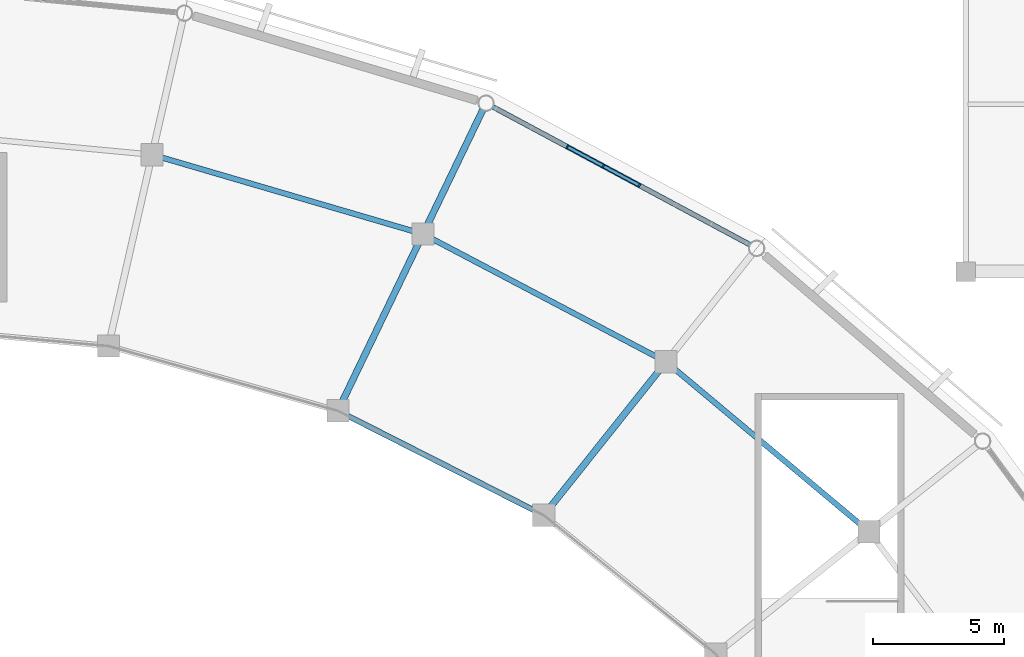
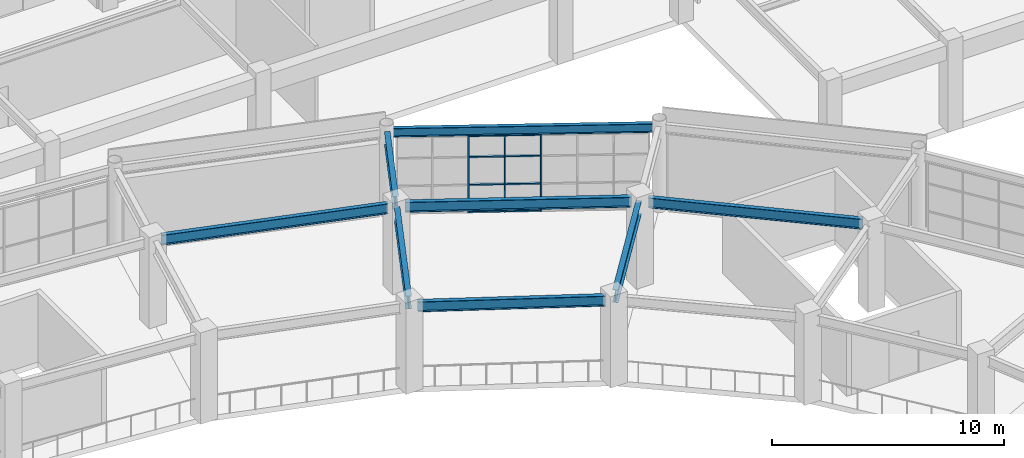
# One storey, part 48 of 112: 11 members, 8 beams, 1 element without a shape of its own.
"""IFC4 building model written with IfcOpenShell, lengths in metres."""

from ifc_helpers import new_model, si_unit, direction, frame, origin, origin_2d, place, context, subcontext, project, spatial, rectangle, i_section, extrude, material, material_profile, profile_set, type_object, element, aggregate, save


model = new_model("IFC4")

# Units and contexts
model_context = context("Model", 3, precision=1e-05, world=origin(), true_north=direction((0.0, 1.0)))
body_context = subcontext(model_context, "Body", "Model", "MODEL_VIEW")
ifc_project = project(units=[si_unit("LENGTHUNIT", "METRE"), si_unit("AREAUNIT", "SQUARE_METRE"), si_unit("VOLUMEUNIT", "CUBIC_METRE"), si_unit("PLANEANGLEUNIT", "RADIAN"), si_unit("MASSUNIT", "GRAM", prefix="KILO")], contexts=[model_context])

# Site, building, storey
site_placement = place(None, origin())
site = spatial("IfcSite", under=ifc_project, at=site_placement, CompositionType="ELEMENT")
building_placement = place(site_placement, origin())
building = spatial("IfcBuilding", under=site, at=building_placement, Name="Cuetzalor Civic Arena", CompositionType="ELEMENT")
storey_placement = place(building_placement, frame((0.0, 0.0, 11.39990234375)))
storey = spatial("IfcBuildingStorey", under=building, at=storey_placement, Name="L02", CompositionType="ELEMENT", Elevation=11.39990234375)

# Curtain wall, members
ifc_material_1 = material(Name="Anodised dark bronze aluminium and low-E solar glass", Category="aluminium")
curtain_wall_type = type_object("IfcCurtainWallType", Name="UnitisedCW_10950x4050", PredefinedType="USERDEFINED", material=ifc_material_1)
curtain_wall_placement = place(storey_placement, origin())
curtain_wall = element("IfcCurtainWall", 1, at=curtain_wall_placement, inside=storey, type_object=curtain_wall_type, Name="Drum Triangle Foyer Curtain Wall L02-034", ObjectType="UNITISED CURTAIN WALL", PredefinedType="USERDEFINED")
ifc_material_2 = material(Name="Anodised dark bronze aluminium", Category="aluminium")
ifc_material_profile_1 = material_profile(ifc_material_2, rectangle(XDim=0.06494140625, YDim=0.14990234375, at=origin_2d()), Name="ALU MULLION 65x150")
ifc_profile_set_1 = profile_set([ifc_material_profile_1], Name="Anodised dark bronze aluminium")
member_type_1 = type_object("IfcMemberType", Name="CurtainWallMullion_60x150", PredefinedType="MULLION", material=ifc_profile_set_1)
member_1_placement = place(storey_placement, frame((26.772705078125, 40.275634765625, 0.0), z_axis=(0.0, 0.0, 1.0), x_axis=(0.881306344124, -0.472545371163, 0.0)))
member_1 = element("IfcMember", 2, at=member_1_placement, type_object=member_type_1, Name="CW-13 mullion 3", PredefinedType="MULLION", context=body_context, shape_type="SweptSolid", body=[
    extrude(rectangle(XDim=0.06494140625, YDim=0.14990234375, at=origin_2d()), origin(), (0.0, 0.0, 1.0), 4.052978515625),
])
member_2_placement = place(storey_placement, frame((28.15087890625, 39.53662109375, 0.0), z_axis=(0.0, 0.0, 1.0), x_axis=(0.881306344124, -0.472545371163, 0.0)))
member_2 = element("IfcMember", 3, at=member_2_placement, type_object=member_type_1, Name="CW-13 mullion 4", PredefinedType="MULLION", context=body_context, shape_type="SweptSolid", body=[
    extrude(rectangle(XDim=0.06494140625, YDim=0.14990234375, at=origin_2d()), origin(), (0.0, 0.0, 1.0), 4.052978515625),
])
member_3_placement = place(storey_placement, frame((29.529052734375, 38.797607421875, 0.0), z_axis=(0.0, 0.0, 1.0), x_axis=(0.881306344124, -0.472545371163, 0.0)))
member_3 = element("IfcMember", 4, at=member_3_placement, type_object=member_type_1, Name="CW-13 mullion 5", PredefinedType="MULLION", context=body_context, shape_type="SweptSolid", body=[
    extrude(rectangle(XDim=0.06494140625, YDim=0.14990234375, at=origin_2d()), origin(), (0.0, 0.0, 1.0), 4.052978515625),
])
ifc_material_3 = material(Name="Anodised dark bronze aluminium", Category="aluminium")
ifc_material_profile_2 = material_profile(ifc_material_3, rectangle(XDim=0.1201171875, YDim=0.06494140625, at=origin_2d()), Name="ALU TRANSOM 65x120")
ifc_profile_set_2 = profile_set([ifc_material_profile_2], Name="Anodised dark bronze aluminium")
member_type_2 = type_object("IfcMemberType", Name="CurtainWallTransom_60x120", PredefinedType="USERDEFINED", material=ifc_profile_set_2)
member_4_placement = place(storey_placement, frame((26.80126953125, 40.26025390625, 0.03271484375), z_axis=(0.881291006113, -0.472573975737, 0.0), x_axis=(0.472573975737, 0.881291006113, 0.0)))
member_4 = element("IfcMember", 5, at=member_4_placement, type_object=member_type_2, Name="CW-13 transom 3.1", ObjectType="TRANSOM", PredefinedType="USERDEFINED", context=body_context, shape_type="SweptSolid", body=[
    extrude(rectangle(XDim=0.1201171875, YDim=0.06494140625, at=origin_2d()), origin(), (0.0, 0.0, 1.0), 1.498779296875),
])
member_5_placement = place(storey_placement, frame((26.80126953125, 40.26025390625, 1.458984375), z_axis=(0.881291006113, -0.472573975737, 0.0), x_axis=(0.472573975737, 0.881291006113, 0.0)))
member_5 = element("IfcMember", 6, at=member_5_placement, type_object=member_type_2, Name="CW-13 transom 3.2", ObjectType="TRANSOM", PredefinedType="USERDEFINED", context=body_context, shape_type="SweptSolid", body=[
    extrude(rectangle(XDim=0.1201171875, YDim=0.06494140625, at=origin_2d()), origin(), (0.0, 0.0, 1.0), 1.498779296875),
])
member_6_placement = place(storey_placement, frame((26.80126953125, 40.26025390625, 2.918212890625), z_axis=(0.881291006113, -0.472573975737, 0.0), x_axis=(0.472573975737, 0.881291006113, 0.0)))
member_6 = element("IfcMember", 7, at=member_6_placement, type_object=member_type_2, Name="CW-13 transom 3.3", ObjectType="TRANSOM", PredefinedType="USERDEFINED", context=body_context, shape_type="SweptSolid", body=[
    extrude(rectangle(XDim=0.1201171875, YDim=0.06494140625, at=origin_2d()), origin(), (0.0, 0.0, 1.0), 1.498779296875),
])
member_7_placement = place(storey_placement, frame((26.80126953125, 40.26025390625, 4.0205078125), z_axis=(0.881291006113, -0.472573975737, 0.0), x_axis=(0.472573975737, 0.881291006113, 0.0)))
member_7 = element("IfcMember", 8, at=member_7_placement, type_object=member_type_2, Name="CW-13 transom 3.4", ObjectType="TRANSOM", PredefinedType="USERDEFINED", context=body_context, shape_type="SweptSolid", body=[
    extrude(rectangle(XDim=0.1201171875, YDim=0.06494140625, at=origin_2d()), origin(), (0.0, 0.0, 1.0), 1.498779296875),
])
member_8_placement = place(storey_placement, frame((28.179443359375, 39.521240234375, 0.03271484375), z_axis=(0.881291006113, -0.472573975737, 0.0), x_axis=(0.472573975737, 0.881291006113, 0.0)))
member_8 = element("IfcMember", 9, at=member_8_placement, type_object=member_type_2, Name="CW-13 transom 4.1", ObjectType="TRANSOM", PredefinedType="USERDEFINED", context=body_context, shape_type="SweptSolid", body=[
    extrude(rectangle(XDim=0.1201171875, YDim=0.06494140625, at=origin_2d()), origin(), (0.0, 0.0, 1.0), 1.498779296875),
])
member_9_placement = place(storey_placement, frame((28.179443359375, 39.521240234375, 1.458984375), z_axis=(0.881291006113, -0.472573975737, 0.0), x_axis=(0.472573975737, 0.881291006113, 0.0)))
member_9 = element("IfcMember", 10, at=member_9_placement, type_object=member_type_2, Name="CW-13 transom 4.2", ObjectType="TRANSOM", PredefinedType="USERDEFINED", context=body_context, shape_type="SweptSolid", body=[
    extrude(rectangle(XDim=0.1201171875, YDim=0.06494140625, at=origin_2d()), origin(), (0.0, 0.0, 1.0), 1.498779296875),
])
member_10_placement = place(storey_placement, frame((28.179443359375, 39.521240234375, 2.918212890625), z_axis=(0.881291006113, -0.472573975737, 0.0), x_axis=(0.472573975737, 0.881291006113, 0.0)))
member_10 = element("IfcMember", 11, at=member_10_placement, type_object=member_type_2, Name="CW-13 transom 4.3", ObjectType="TRANSOM", PredefinedType="USERDEFINED", context=body_context, shape_type="SweptSolid", body=[
    extrude(rectangle(XDim=0.1201171875, YDim=0.06494140625, at=origin_2d()), origin(), (0.0, 0.0, 1.0), 1.498779296875),
])
member_11_placement = place(storey_placement, frame((28.179443359375, 39.521240234375, 4.0205078125), z_axis=(0.881291006113, -0.472573975737, 0.0), x_axis=(0.472573975737, 0.881291006113, 0.0)))
member_11 = element("IfcMember", 12, at=member_11_placement, type_object=member_type_2, Name="CW-13 transom 4.4", ObjectType="TRANSOM", PredefinedType="USERDEFINED", context=body_context, shape_type="SweptSolid", body=[
    extrude(rectangle(XDim=0.1201171875, YDim=0.06494140625, at=origin_2d()), origin(), (0.0, 0.0, 1.0), 1.498779296875),
])
aggregate(curtain_wall, [member_1, member_2, member_3, member_4, member_5, member_6, member_7, member_8, member_9, member_10, member_11])

# Beams
ifc_material_4 = material(Name="Steel S355", Category="steel")
ifc_material_profile_3 = material_profile(ifc_material_4, i_section(OverallWidth=0.18994140625, OverallDepth=0.45703125, WebThickness=0.009033203125, FlangeThickness=0.014404296875, at=origin_2d()), Name="W460x74")
ifc_profile_set_3 = profile_set([ifc_material_profile_3], Name="Steel S355")
beam_type_1 = type_object("IfcBeamType", Name="FacadeSpandrelBeam_W460", PredefinedType="SPANDREL", material=ifc_profile_set_3)
beam_1_placement = place(storey_placement, frame((33.755859375, 36.53125, 4.29150390625), z_axis=(-0.881304552514, 0.472548712534, 0.0), x_axis=(-0.472548712534, -0.881304552514, 0.0)))
element("IfcBeam", 13, at=beam_1_placement, inside=storey, type_object=beam_type_1, Name="Drum Perimeter Spandrel L02-S05", PredefinedType="SPANDREL", context=body_context, shape_type="SweptSolid", body=[
    extrude(i_section(OverallWidth=0.18994140625, OverallDepth=0.45703125, WebThickness=0.009033203125, FlangeThickness=0.014404296875, at=origin_2d()), origin(), (0.0, 0.0, 1.0), 11.156005859375),
])
ifc_material_5 = material(Name="Steel S355", Category="steel")
ifc_material_profile_4 = material_profile(ifc_material_5, i_section(OverallWidth=0.208984375, OverallDepth=0.532958984375, WebThickness=0.01025390625, FlangeThickness=0.015625, at=origin_2d()), Name="W530x92")
ifc_profile_set_4 = profile_set([ifc_material_profile_4], Name="Steel S355")
beam_type_2 = type_object("IfcBeamType", Name="SteelCollarGirder_W530", PredefinedType="BEAM", material=ifc_profile_set_4)
beam_2_placement = place(storey_placement, frame((38.02587890625, 25.800537109375, 4.253662109375), z_axis=(-0.766937066427, 0.641722320121, 0.0), x_axis=(-0.641722320121, -0.766937066427, 0.0)))
element("IfcBeam", 14, at=beam_2_placement, inside=storey, type_object=beam_type_2, Name="Drum Concourse Ring Girder L02-S04", PredefinedType="BEAM", context=body_context, shape_type="SweptSolid", body=[
    extrude(i_section(OverallWidth=0.208984375, OverallDepth=0.532958984375, WebThickness=0.01025390625, FlangeThickness=0.015625, at=origin_2d()), origin(), (0.0, 0.0, 1.0), 9.37646484375),
])
beam_3_placement = place(storey_placement, frame((30.223388671875, 32.227294921875, 4.253662109375), z_axis=(-0.885117354883, 0.465367884673, 0.0), x_axis=(-0.465367884673, -0.885117354883, 0.0)))
element("IfcBeam", 15, at=beam_3_placement, inside=storey, type_object=beam_type_2, Name="Drum Concourse Ring Girder L02-S05", PredefinedType="BEAM", context=body_context, shape_type="SweptSolid", body=[
    extrude(i_section(OverallWidth=0.208984375, OverallDepth=0.532958984375, WebThickness=0.01025390625, FlangeThickness=0.015625, at=origin_2d()), origin(), (0.0, 0.0, 1.0), 9.75634765625),
])
beam_4_placement = place(storey_placement, frame((25.5537109375, 26.354248046875, 4.253662109375), z_axis=(-0.89182706622, 0.452376484754, 0.0), x_axis=(-0.452376484754, -0.89182706622, 0.0)))
element("IfcBeam", 16, at=beam_4_placement, inside=storey, type_object=beam_type_2, Name="Bowl Inner Ring Girder L02-S05", PredefinedType="BEAM", context=body_context, shape_type="SweptSolid", body=[
    extrude(i_section(OverallWidth=0.208984375, OverallDepth=0.532958984375, WebThickness=0.01025390625, FlangeThickness=0.015625, at=origin_2d()), origin(), (0.0, 0.0, 1.0), 8.102783203125),
])
beam_5_placement = place(storey_placement, frame((20.9052734375, 37.043701171875, 4.253662109375), z_axis=(-0.959716323112, 0.280970779889, 0.0), x_axis=(-0.280970779889, -0.959716323112, 0.0)))
element("IfcBeam", 17, at=beam_5_placement, inside=storey, type_object=beam_type_2, Name="Drum Concourse Ring Girder L02-S06", PredefinedType="BEAM", context=body_context, shape_type="SweptSolid", body=[
    extrude(i_section(OverallWidth=0.208984375, OverallDepth=0.532958984375, WebThickness=0.01025390625, FlangeThickness=0.015625, at=origin_2d()), origin(), (0.0, 0.0, 1.0), 10.0517578125),
])
ifc_material_6 = material(Name="Steel S355", Category="steel")
ifc_material_profile_5 = material_profile(ifc_material_6, i_section(OverallWidth=0.2529296875, OverallDepth=0.677978515625, WebThickness=0.01171875, FlangeThickness=0.016357421875, at=origin_2d()), Name="W690x125")
ifc_profile_set_5 = profile_set([ifc_material_profile_5], Name="Steel S355")
beam_type_3 = type_object("IfcBeamType", Name="SteelPrimaryGirder_W690", PredefinedType="BEAM", material=ifc_profile_set_5)
beam_6_placement = place(storey_placement, frame((26.099365234375, 26.472900390625, 4.18115234375), z_axis=(0.623473464464, 0.781844510826, 0.0), x_axis=(-0.781844510826, 0.623473464464, 0.0)))
element("IfcBeam", 18, at=beam_6_placement, inside=storey, type_object=beam_type_3, Name="Drum Inner Radial Girder L02-R05", PredefinedType="BEAM", context=body_context, shape_type="SweptSolid", body=[
    extrude(i_section(OverallWidth=0.2529296875, OverallDepth=0.677978515625, WebThickness=0.01171875, FlangeThickness=0.016357421875, at=origin_2d()), origin(), (0.0, 0.0, 1.0), 6.77978515625),
])
beam_7_placement = place(storey_placement, frame((21.41650390625, 37.263916015625, 4.18115234375), z_axis=(0.433871046232, 0.900974980364, 0.0), x_axis=(-0.900974980364, 0.433871046232, 0.0)))
element("IfcBeam", 19, at=beam_7_placement, inside=storey, type_object=beam_type_3, Name="Drum Radial Girder L02-R06", PredefinedType="BEAM", context=body_context, shape_type="SweptSolid", body=[
    extrude(i_section(OverallWidth=0.2529296875, OverallDepth=0.677978515625, WebThickness=0.01171875, FlangeThickness=0.016357421875, at=origin_2d()), origin(), (0.0, 0.0, 1.0), 4.89990234375),
])
beam_8_placement = place(storey_placement, frame((18.162353515625, 30.5068359375, 4.18115234375), z_axis=(0.433869751452, 0.900975603874, 0.0), x_axis=(-0.900975603874, 0.433869751452, 0.0)))
element("IfcBeam", 20, at=beam_8_placement, inside=storey, type_object=beam_type_3, Name="Drum Inner Radial Girder L02-R06", PredefinedType="BEAM", context=body_context, shape_type="SweptSolid", body=[
    extrude(i_section(OverallWidth=0.2529296875, OverallDepth=0.677978515625, WebThickness=0.01171875, FlangeThickness=0.016357421875, at=origin_2d()), origin(), (0.0, 0.0, 1.0), 6.780029296875),
])

save(model, "model.ifc")
